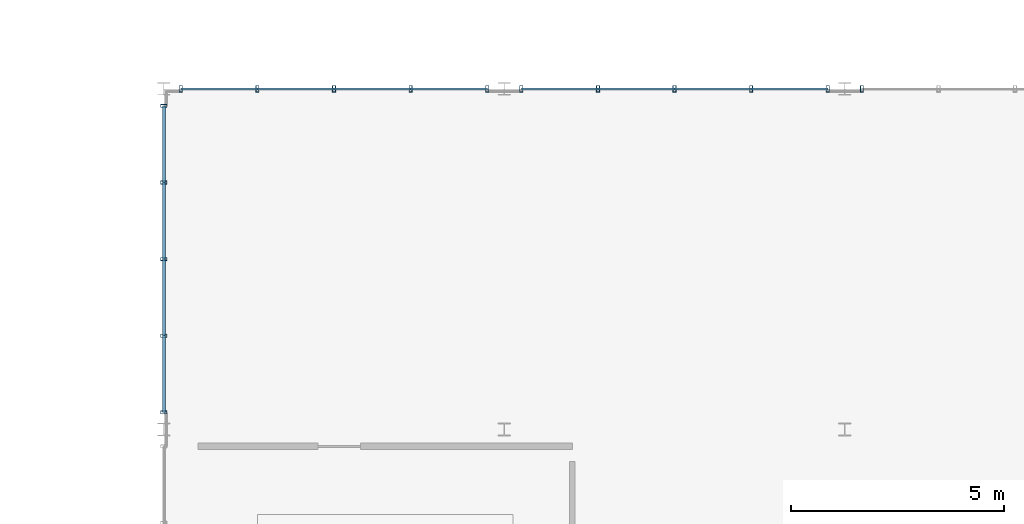
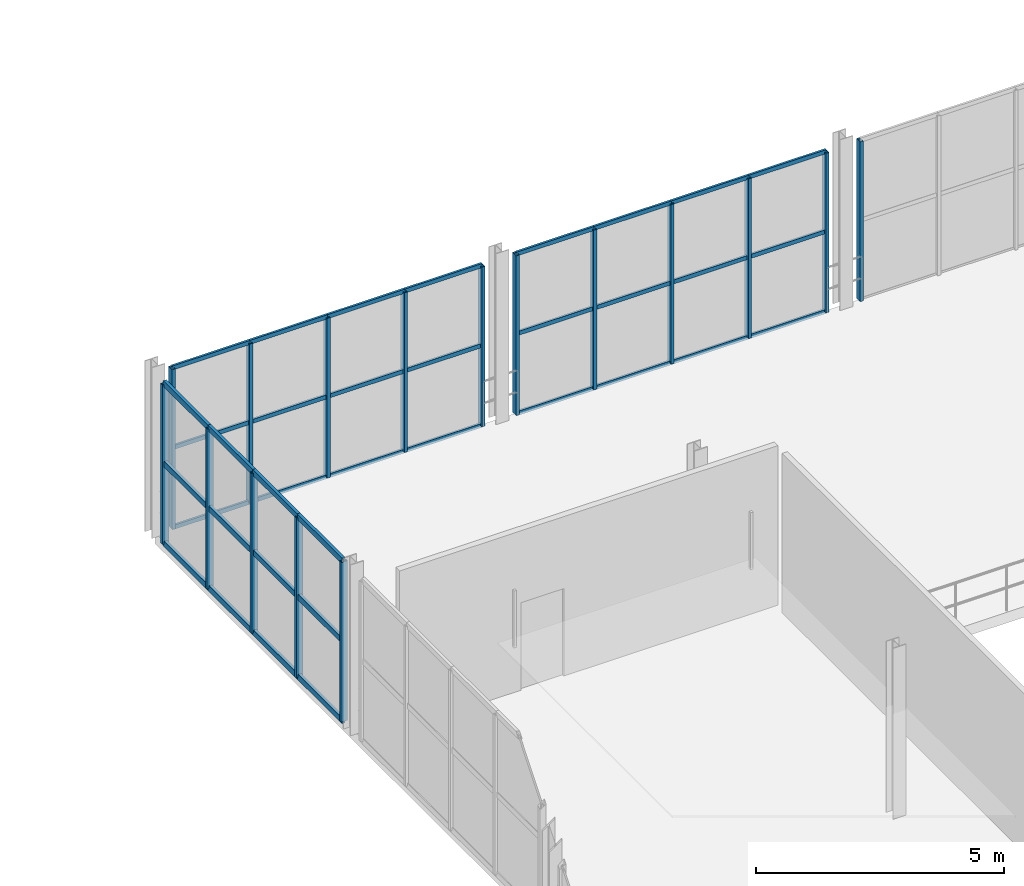
# One storey, part 20 of 67: 52 members, 4 elements without a shape of their own.
"""IFC4 building model written with IfcOpenShell, lengths in metres."""

import ifcopenshell
import ifcopenshell.guid

model = None  # the IFC model being written
_history = None  # IfcOwnerHistory: only IFC2X3 demands one
_inside = {}  # id of a spatial element -> (the spatial element, [elements in it])
_under = {}  # id of a project, library or spatial element -> (it, [spatial elements below it])
_declared = {}  # id of a project -> (the project, [libraries it declares])
_typed = {}  # id of a type object -> (the type object, [elements of that type])
_made_of = {}  # id of a material, layer set ... -> (it, [elements and type objects made of it])


def new_model(schema):
    """Start an empty IFC model of exactly this schema.

    Asked for "IFC4X3", IfcOpenShell would pick the latest addendum, in which some entities
    have other attributes; the version numbers below select the first issue.
    IFC2X3 requires an IfcOwnerHistory on every rooted entity: one is made here for all.
    """
    global model, _history
    if schema == "IFC4X3":
        model = ifcopenshell.file(schema_version=(4, 3, 0, 0))
    else:
        model = ifcopenshell.file(schema=schema)
    _inside.clear()
    _under.clear()
    _declared.clear()
    _typed.clear()
    _made_of.clear()
    _history = None
    if model.schema == "IFC2X3":
        org = make("IfcOrganization", Name="unknown")
        user = make(
            "IfcPersonAndOrganization",
            ThePerson=make("IfcPerson", FamilyName="unknown"),
            TheOrganization=org,
        )
        app = make(
            "IfcApplication",
            ApplicationDeveloper=org,
            Version="unknown",
            ApplicationFullName="unknown",
            ApplicationIdentifier="unknown",
        )
        _history = make(
            "IfcOwnerHistory",
            OwningUser=user,
            OwningApplication=app,
            ChangeAction="ADDED",
            CreationDate=0,
        )
    return model


def make(cls, **values):
    """One entity of the class cls with the attributes given. An attribute that is None is left unset."""
    return model.create_entity(
        cls, **{name: value for name, value in values.items() if value is not None}
    )


def rooted(cls, **values):
    """An entity with a GlobalId (a new one), such as an element, a storey or a relation."""
    return make(cls, GlobalId=ifcopenshell.guid.new(), OwnerHistory=_history, **values)


def si_unit(unit_type, name, prefix=None):
    """IfcSIUnit, for example si_unit("LENGTHUNIT", "METRE", prefix="MILLI")."""
    return make("IfcSIUnit", UnitType=unit_type, Prefix=prefix, Name=name)


def assignment(units):
    """IfcUnitAssignment: the units of a project."""
    return None if units is None else make("IfcUnitAssignment", Units=units)


def point(xyz):
    """IfcCartesianPoint."""
    return None if xyz is None else make("IfcCartesianPoint", Coordinates=xyz)


def direction(xyz):
    """IfcDirection."""
    return None if xyz is None else make("IfcDirection", DirectionRatios=xyz)


def frame(location, z_axis=None, x_axis=None):
    """IfcAxis2Placement3D, a coordinate frame: its origin and axes. An axis left out is left unset."""
    return make(
        "IfcAxis2Placement3D",
        Location=point(location),
        Axis=direction(z_axis),
        RefDirection=direction(x_axis),
    )


def frame_2d(location, x_axis=None):
    """IfcAxis2Placement2D, a coordinate frame in the plane: its origin and x axis."""
    return make(
        "IfcAxis2Placement2D", Location=point(location), RefDirection=direction(x_axis)
    )


def origin():
    """The frame at (0, 0, 0) with its axes left unset."""
    return frame((0.0, 0.0, 0.0))


def origin_2d():
    """The frame at (0, 0) in the plane with its x axis left unset."""
    return frame_2d((0.0, 0.0))


def place(relative_to, where):
    """IfcLocalPlacement: puts the frame where relative to a parent placement (None: the world)."""
    return make(
        "IfcLocalPlacement", PlacementRelTo=relative_to, RelativePlacement=where
    )


def context(
    kind, dimensions, precision=None, world=None, true_north=None, identifier=None
):
    """IfcGeometricRepresentationContext, for example the 3D "Model" context."""
    return make(
        "IfcGeometricRepresentationContext",
        ContextIdentifier=identifier,
        ContextType=kind,
        CoordinateSpaceDimension=dimensions,
        Precision=precision,
        WorldCoordinateSystem=world,
        TrueNorth=true_north,
    )


def subcontext(parent, identifier, kind, view, scale=None):
    """IfcGeometricRepresentationSubContext, for example "Body" below "Model"."""
    return make(
        "IfcGeometricRepresentationSubContext",
        ContextIdentifier=identifier,
        ContextType=kind,
        ParentContext=parent,
        TargetScale=scale,
        TargetView=view,
    )


def project(units=None, contexts=None):
    """IfcProject with its units and contexts."""
    return rooted(
        "IfcProject",
        Name="project",
        RepresentationContexts=contexts,
        UnitsInContext=assignment(units),
    )


def spatial(cls, under=None, at=None, **own):
    """A site, building, storey or space (cls), placed at a placement, below another one or the project."""
    s = rooted(cls, ObjectPlacement=at, **own)
    if under is not None:
        _under.setdefault(under.id(), (under, []))[1].append(s)
    return s


def profile(cls, at=None, kind="AREA", **sizes):
    """A parametric profile (cls). Its sizes go by their IFC names, for example OverallWidth=200.0."""
    return make(cls, ProfileType=kind, Position=at, **sizes)


def hollow_rectangle(**sizes):
    """IfcRectangleHollowProfileDef."""
    return profile("IfcRectangleHollowProfileDef", **sizes)


def extrude(swept, where, along, depth):
    """IfcExtrudedAreaSolid: the profile swept, set in the frame where, extruded along a direction by depth."""
    return make(
        "IfcExtrudedAreaSolid",
        SweptArea=swept,
        Position=where,
        ExtrudedDirection=direction(along),
        Depth=depth,
    )


def shape(context_of_items, identifier, shape_type, items):
    """IfcShapeRepresentation: the items that make up one representation, for example the "Body"."""
    return make(
        "IfcShapeRepresentation",
        ContextOfItems=context_of_items,
        RepresentationIdentifier=identifier,
        RepresentationType=shape_type,
        Items=items,
    )


def material(Name=None, Category=None):
    """IfcMaterial."""
    return make("IfcMaterial", Name=Name, Category=Category)


def material_profile(
    of_material, cross_section, Name=None, Category=None, Priority=None
):
    """IfcMaterialProfile: a cross section and its material."""
    return make(
        "IfcMaterialProfile",
        Name=Name,
        Material=of_material,
        Profile=cross_section,
        Priority=Priority,
        Category=Category,
    )


def profile_set(profiles, Name=None, composite=None):
    """IfcMaterialProfileSet."""
    return make(
        "IfcMaterialProfileSet",
        Name=Name,
        MaterialProfiles=profiles,
        CompositeProfile=composite,
    )


def made_of(thing, what):
    """Note that an element or type object is made of a material, layer set ...; save() writes the relation."""
    if what is not None:
        _made_of.setdefault(what.id(), (what, []))[1].append(thing)
    return thing


def type_object(cls, material=None, **own):
    """A type object (cls), such as IfcWallType, which elements share."""
    return made_of(rooted(cls, **own), material)


def element(
    cls,
    number,
    at=None,
    inside=None,
    cuts=None,
    type_object=None,
    material=None,
    context=None,
    identifier="Body",
    shape_type=None,
    held_by="IfcProductDefinitionShape",
    body=None,
    shapes=None,
    **own,
):
    """One element of the class cls, such as IfcWall. Its Tag is "e" and its number.

    at: its placement. inside: the storey or other place that contains it. cuts: it is an
    opening in that element (IfcRelVoidsElement). A single representation is given by context,
    identifier, shape_type and body (its items); several are given by shapes. held_by: the class
    of the entity that holds the representations. save() writes the other relations.
    """
    e = rooted(cls, Tag="e%d" % number, ObjectPlacement=at, **own)
    if body is not None:
        shapes = [shape(context, identifier, shape_type, body)]
    if shapes is not None:
        e.Representation = make(held_by, Representations=shapes)
    if inside is not None:
        _inside.setdefault(inside.id(), (inside, []))[1].append(e)
    if cuts is not None:
        rooted(
            "IfcRelVoidsElement", RelatingBuildingElement=cuts, RelatedOpeningElement=e
        )
    if type_object is not None:
        _typed.setdefault(type_object.id(), (type_object, []))[1].append(e)
    return made_of(e, material)


def aggregate(whole, parts):
    """IfcRelAggregates: a whole, such as a stair, and the parts it consists of."""
    return rooted("IfcRelAggregates", RelatingObject=whole, RelatedObjects=parts)


def save(model, path):
    """Write the relations noted so far, then the file.

    IfcRelAggregates (storeys below a building ...), IfcRelContainedInSpatialStructure (elements
    in a storey), IfcRelDefinesByType, IfcRelAssociatesMaterial and IfcRelDeclares: one each for
    every whole, place, type object, material and project.
    """
    for whole, parts in _under.values():
        aggregate(whole, parts)
    for where, things in _inside.values():
        rooted(
            "IfcRelContainedInSpatialStructure",
            RelatedElements=things,
            RelatingStructure=where,
        )
    for kind, things in _typed.values():
        rooted("IfcRelDefinesByType", RelatedObjects=things, RelatingType=kind)
    for what, things in _made_of.values():
        rooted("IfcRelAssociatesMaterial", RelatedObjects=things, RelatingMaterial=what)
    for by, libraries in _declared.values():
        rooted("IfcRelDeclares", RelatingContext=by, RelatedDefinitions=libraries)
    model.write(path)


model = new_model("IFC4")

# Units and contexts
model_context = context("Model", 3, precision=1e-05, world=origin(), true_north=direction((0.0, 1.0)))
body_context = subcontext(model_context, "Body", "Model", "MODEL_VIEW")
ifc_project = project(units=[si_unit("LENGTHUNIT", "METRE"), si_unit("AREAUNIT", "SQUARE_METRE"), si_unit("VOLUMEUNIT", "CUBIC_METRE"), si_unit("PLANEANGLEUNIT", "RADIAN"), si_unit("MASSUNIT", "GRAM", prefix="KILO")], contexts=[model_context])

# Site, building, storey
site_placement = place(None, origin())
site = spatial("IfcSite", under=ifc_project, at=site_placement, CompositionType="ELEMENT")
building_placement = place(site_placement, origin())
building = spatial("IfcBuilding", under=site, at=building_placement, Name="Sundkrona Museum", CompositionType="ELEMENT")
storey_placement = place(building_placement, frame((0.0, 0.0, 21.800048828125)))
storey = spatial("IfcBuildingStorey", under=building, at=storey_placement, Name="L04", CompositionType="ELEMENT", Elevation=21.800048828125)

# Curtain wall, members
ifc_material_1 = material(Name="Unitised Aluminium-Steel and Ceramic-Clad Curtain Walling", Category="steel")
curtain_wall_type = type_object("IfcCurtainWallType", Name="CW-AT-72x38", PredefinedType="NOTDEFINED", material=ifc_material_1)
curtain_wall_1_placement = place(storey_placement, origin())
curtain_wall_1 = element("IfcCurtainWall", 1, at=curtain_wall_1_placement, inside=storey, type_object=curtain_wall_type, Name="L04 Curtain Wall CW-L04-086", PredefinedType="NOTDEFINED")
ifc_material_2 = material(Name="Aluminium EN AW-6060 T66", Category="aluminium")
ifc_material_profile_1 = material_profile(ifc_material_2, hollow_rectangle(XDim=0.074951171875, YDim=0.14990234375, WallThickness=0.00634765625, at=origin_2d()), Name="RHS 150x75x6.3")
ifc_profile_set_1 = profile_set([ifc_material_profile_1], Name="Aluminium EN AW-6060 T66")
member_type_1 = type_object("IfcMemberType", Name="ML-150", PredefinedType="MULLION", material=ifc_profile_set_1)
member_1_placement = place(storey_placement, frame((80.0, 32.39990234375, -0.004150390625), z_axis=(0.0, 0.0, 1.0), x_axis=(0.0, 1.0, 0.0)))
member_1 = element("IfcMember", 2, at=member_1_placement, type_object=member_type_1, Name="CW-L04-086 Mullion 01", PredefinedType="MULLION", context=body_context, shape_type="SweptSolid", body=[
    extrude(hollow_rectangle(XDim=0.074951171875, YDim=0.14990234375, WallThickness=0.00634765625, at=origin_2d()), origin(), (0.0, 0.0, 1.0), 3.92822265625),
])
member_2_placement = place(storey_placement, frame((80.0, 34.199951171875, -0.004150390625), z_axis=(0.0, 0.0, 1.0), x_axis=(0.0, 1.0, 0.0)))
member_2 = element("IfcMember", 3, at=member_2_placement, type_object=member_type_1, Name="CW-L04-086 Mullion 02", PredefinedType="MULLION", context=body_context, shape_type="SweptSolid", body=[
    extrude(hollow_rectangle(XDim=0.074951171875, YDim=0.14990234375, WallThickness=0.00634765625, at=origin_2d()), origin(), (0.0, 0.0, 1.0), 3.92822265625),
])
member_3_placement = place(storey_placement, frame((80.0, 36.0, -0.004150390625), z_axis=(0.0, 0.0, 1.0), x_axis=(0.0, 1.0, 0.0)))
member_3 = element("IfcMember", 4, at=member_3_placement, type_object=member_type_1, Name="CW-L04-086 Mullion 03", PredefinedType="MULLION", context=body_context, shape_type="SweptSolid", body=[
    extrude(hollow_rectangle(XDim=0.074951171875, YDim=0.14990234375, WallThickness=0.00634765625, at=origin_2d()), origin(), (0.0, 0.0, 1.0), 3.92822265625),
])
member_4_placement = place(storey_placement, frame((80.0, 37.800048828125, -0.004150390625), z_axis=(0.0, 0.0, 1.0), x_axis=(0.0, 1.0, 0.0)))
member_4 = element("IfcMember", 5, at=member_4_placement, type_object=member_type_1, Name="CW-L04-086 Mullion 04", PredefinedType="MULLION", context=body_context, shape_type="SweptSolid", body=[
    extrude(hollow_rectangle(XDim=0.074951171875, YDim=0.14990234375, WallThickness=0.00634765625, at=origin_2d()), origin(), (0.0, 0.0, 1.0), 3.92822265625),
])
member_5_placement = place(storey_placement, frame((80.0, 39.60009765625, -0.004150390625), z_axis=(0.0, 0.0, 1.0), x_axis=(0.0, 1.0, 0.0)))
member_5 = element("IfcMember", 6, at=member_5_placement, type_object=member_type_1, Name="CW-L04-086 Mullion 05", PredefinedType="MULLION", context=body_context, shape_type="SweptSolid", body=[
    extrude(hollow_rectangle(XDim=0.074951171875, YDim=0.14990234375, WallThickness=0.00634765625, at=origin_2d()), origin(), (0.0, 0.0, 1.0), 3.92822265625),
])

curtain_wall_2_placement = place(storey_placement, origin())
curtain_wall_2 = element("IfcCurtainWall", 7, at=curtain_wall_2_placement, inside=storey, type_object=curtain_wall_type, Name="L04 Curtain Wall CW-L04-087", PredefinedType="NOTDEFINED")
member_6_placement = place(storey_placement, frame((80.39990234375, 40.0, -0.004150390625), z_axis=(0.0, 0.0, 1.0), x_axis=(1.0, 0.0, 0.0)))
member_6 = element("IfcMember", 8, at=member_6_placement, type_object=member_type_1, Name="CW-L04-087 Mullion 01", PredefinedType="MULLION", context=body_context, shape_type="SweptSolid", body=[
    extrude(hollow_rectangle(XDim=0.074951171875, YDim=0.14990234375, WallThickness=0.00634765625, at=origin_2d()), origin(), (0.0, 0.0, 1.0), 3.92822265625),
])
member_7_placement = place(storey_placement, frame((82.199951171875, 40.0, -0.004150390625), z_axis=(0.0, 0.0, 1.0), x_axis=(1.0, 0.0, 0.0)))
member_7 = element("IfcMember", 9, at=member_7_placement, type_object=member_type_1, Name="CW-L04-087 Mullion 02", PredefinedType="MULLION", context=body_context, shape_type="SweptSolid", body=[
    extrude(hollow_rectangle(XDim=0.074951171875, YDim=0.14990234375, WallThickness=0.00634765625, at=origin_2d()), origin(), (0.0, 0.0, 1.0), 3.92822265625),
])
member_8_placement = place(storey_placement, frame((84.0, 40.0, -0.004150390625), z_axis=(0.0, 0.0, 1.0), x_axis=(1.0, 0.0, 0.0)))
member_8 = element("IfcMember", 10, at=member_8_placement, type_object=member_type_1, Name="CW-L04-087 Mullion 03", PredefinedType="MULLION", context=body_context, shape_type="SweptSolid", body=[
    extrude(hollow_rectangle(XDim=0.074951171875, YDim=0.14990234375, WallThickness=0.00634765625, at=origin_2d()), origin(), (0.0, 0.0, 1.0), 3.92822265625),
])
member_9_placement = place(storey_placement, frame((85.800048828125, 40.0, -0.004150390625), z_axis=(0.0, 0.0, 1.0), x_axis=(1.0, 0.0, 0.0)))
member_9 = element("IfcMember", 11, at=member_9_placement, type_object=member_type_1, Name="CW-L04-087 Mullion 04", PredefinedType="MULLION", context=body_context, shape_type="SweptSolid", body=[
    extrude(hollow_rectangle(XDim=0.074951171875, YDim=0.14990234375, WallThickness=0.00634765625, at=origin_2d()), origin(), (0.0, 0.0, 1.0), 3.92822265625),
])
member_10_placement = place(storey_placement, frame((87.60009765625, 40.0, -0.004150390625), z_axis=(0.0, 0.0, 1.0), x_axis=(1.0, 0.0, 0.0)))
member_10 = element("IfcMember", 12, at=member_10_placement, type_object=member_type_1, Name="CW-L04-087 Mullion 05", PredefinedType="MULLION", context=body_context, shape_type="SweptSolid", body=[
    extrude(hollow_rectangle(XDim=0.074951171875, YDim=0.14990234375, WallThickness=0.00634765625, at=origin_2d()), origin(), (0.0, 0.0, 1.0), 3.92822265625),
])

curtain_wall_3_placement = place(storey_placement, origin())
curtain_wall_3 = element("IfcCurtainWall", 13, at=curtain_wall_3_placement, inside=storey, type_object=curtain_wall_type, Name="L04 Curtain Wall CW-L04-088", PredefinedType="NOTDEFINED")
member_11_placement = place(storey_placement, frame((88.39990234375, 40.0, -0.004150390625), z_axis=(0.0, 0.0, 1.0), x_axis=(1.0, 0.0, 0.0)))
member_11 = element("IfcMember", 14, at=member_11_placement, type_object=member_type_1, Name="CW-L04-088 Mullion 01", PredefinedType="MULLION", context=body_context, shape_type="SweptSolid", body=[
    extrude(hollow_rectangle(XDim=0.074951171875, YDim=0.14990234375, WallThickness=0.00634765625, at=origin_2d()), origin(), (0.0, 0.0, 1.0), 3.92822265625),
])
member_12_placement = place(storey_placement, frame((90.199951171875, 40.0, -0.004150390625), z_axis=(0.0, 0.0, 1.0), x_axis=(1.0, 0.0, 0.0)))
member_12 = element("IfcMember", 15, at=member_12_placement, type_object=member_type_1, Name="CW-L04-088 Mullion 02", PredefinedType="MULLION", context=body_context, shape_type="SweptSolid", body=[
    extrude(hollow_rectangle(XDim=0.074951171875, YDim=0.14990234375, WallThickness=0.00634765625, at=origin_2d()), origin(), (0.0, 0.0, 1.0), 3.92822265625),
])
member_13_placement = place(storey_placement, frame((92.0, 40.0, -0.004150390625), z_axis=(0.0, 0.0, 1.0), x_axis=(1.0, 0.0, 0.0)))
member_13 = element("IfcMember", 16, at=member_13_placement, type_object=member_type_1, Name="CW-L04-088 Mullion 03", PredefinedType="MULLION", context=body_context, shape_type="SweptSolid", body=[
    extrude(hollow_rectangle(XDim=0.074951171875, YDim=0.14990234375, WallThickness=0.00634765625, at=origin_2d()), origin(), (0.0, 0.0, 1.0), 3.92822265625),
])
member_14_placement = place(storey_placement, frame((93.800048828125, 40.0, -0.004150390625), z_axis=(0.0, 0.0, 1.0), x_axis=(1.0, 0.0, 0.0)))
member_14 = element("IfcMember", 17, at=member_14_placement, type_object=member_type_1, Name="CW-L04-088 Mullion 04", PredefinedType="MULLION", context=body_context, shape_type="SweptSolid", body=[
    extrude(hollow_rectangle(XDim=0.074951171875, YDim=0.14990234375, WallThickness=0.00634765625, at=origin_2d()), origin(), (0.0, 0.0, 1.0), 3.92822265625),
])
member_15_placement = place(storey_placement, frame((95.60009765625, 40.0, -0.004150390625), z_axis=(0.0, 0.0, 1.0), x_axis=(1.0, 0.0, 0.0)))
member_15 = element("IfcMember", 18, at=member_15_placement, type_object=member_type_1, Name="CW-L04-088 Mullion 05", PredefinedType="MULLION", context=body_context, shape_type="SweptSolid", body=[
    extrude(hollow_rectangle(XDim=0.074951171875, YDim=0.14990234375, WallThickness=0.00634765625, at=origin_2d()), origin(), (0.0, 0.0, 1.0), 3.92822265625),
])

# Curtain wall, member
curtain_wall_4_placement = place(storey_placement, origin())
curtain_wall_4 = element("IfcCurtainWall", 19, at=curtain_wall_4_placement, inside=storey, type_object=curtain_wall_type, Name="L04 Curtain Wall CW-L04-089", PredefinedType="NOTDEFINED")
member_16_placement = place(storey_placement, frame((96.39990234375, 40.0, -0.004150390625), z_axis=(0.0, 0.0, 1.0), x_axis=(1.0, 0.0, 0.0)))
member_16 = element("IfcMember", 20, at=member_16_placement, type_object=member_type_1, Name="CW-L04-089 Mullion 01", PredefinedType="MULLION", context=body_context, shape_type="SweptSolid", body=[
    extrude(hollow_rectangle(XDim=0.074951171875, YDim=0.14990234375, WallThickness=0.00634765625, at=origin_2d()), origin(), (0.0, 0.0, 1.0), 3.92822265625),
])
aggregate(curtain_wall_4, [member_16])

# Member
ifc_material_profile_2 = material_profile(ifc_material_2, hollow_rectangle(XDim=0.050048828125, YDim=0.10009765625, WallThickness=0.0048828125, at=origin_2d()), Name="RHS 100x50x5.0")
ifc_profile_set_2 = profile_set([ifc_material_profile_2], Name="Aluminium EN AW-6060 T66")
member_type_2 = type_object("IfcMemberType", Name="TR-100", PredefinedType="USERDEFINED", material=ifc_profile_set_2)
member_17_placement = place(storey_placement, frame((80.39990234375, 40.0, -0.004150390625), z_axis=(1.0, 0.0, 0.0), x_axis=(0.0, 1.0, 0.0)))
member_17 = element("IfcMember", 21, at=member_17_placement, type_object=member_type_2, Name="CW-L04-087 Transom 01", ObjectType="TRANSOM", PredefinedType="USERDEFINED", context=body_context, shape_type="SweptSolid", body=[
    extrude(hollow_rectangle(XDim=0.050048828125, YDim=0.10009765625, WallThickness=0.0048828125, at=origin_2d()), origin(), (0.0, 0.0, 1.0), 1.800048828125),
])

member_18_placement = place(storey_placement, frame((80.39990234375, 40.0, 1.9599609375), z_axis=(1.0, 0.0, 0.0), x_axis=(0.0, 1.0, 0.0)))
member_18 = element("IfcMember", 22, at=member_18_placement, type_object=member_type_2, Name="CW-L04-087 Transom 02", ObjectType="TRANSOM", PredefinedType="USERDEFINED", context=body_context, shape_type="SweptSolid", body=[
    extrude(hollow_rectangle(XDim=0.050048828125, YDim=0.10009765625, WallThickness=0.0048828125, at=origin_2d()), origin(), (0.0, 0.0, 1.0), 1.800048828125),
])

member_19_placement = place(storey_placement, frame((80.39990234375, 40.0, 3.924072265625), z_axis=(1.0, 0.0, 0.0), x_axis=(0.0, 1.0, 0.0)))
member_19 = element("IfcMember", 23, at=member_19_placement, type_object=member_type_2, Name="CW-L04-087 Transom 03", ObjectType="TRANSOM", PredefinedType="USERDEFINED", context=body_context, shape_type="SweptSolid", body=[
    extrude(hollow_rectangle(XDim=0.050048828125, YDim=0.10009765625, WallThickness=0.0048828125, at=origin_2d()), origin(), (0.0, 0.0, 1.0), 1.800048828125),
])

member_20_placement = place(storey_placement, frame((82.199951171875, 40.0, -0.004150390625), z_axis=(1.0, 0.0, 0.0), x_axis=(0.0, 1.0, 0.0)))
member_20 = element("IfcMember", 24, at=member_20_placement, type_object=member_type_2, Name="CW-L04-087 Transom 04", ObjectType="TRANSOM", PredefinedType="USERDEFINED", context=body_context, shape_type="SweptSolid", body=[
    extrude(hollow_rectangle(XDim=0.050048828125, YDim=0.10009765625, WallThickness=0.0048828125, at=origin_2d()), origin(), (0.0, 0.0, 1.0), 1.800048828125),
])

member_21_placement = place(storey_placement, frame((82.199951171875, 40.0, 1.9599609375), z_axis=(1.0, 0.0, 0.0), x_axis=(0.0, 1.0, 0.0)))
member_21 = element("IfcMember", 25, at=member_21_placement, type_object=member_type_2, Name="CW-L04-087 Transom 05", ObjectType="TRANSOM", PredefinedType="USERDEFINED", context=body_context, shape_type="SweptSolid", body=[
    extrude(hollow_rectangle(XDim=0.050048828125, YDim=0.10009765625, WallThickness=0.0048828125, at=origin_2d()), origin(), (0.0, 0.0, 1.0), 1.800048828125),
])

member_22_placement = place(storey_placement, frame((82.199951171875, 40.0, 3.924072265625), z_axis=(1.0, 0.0, 0.0), x_axis=(0.0, 1.0, 0.0)))
member_22 = element("IfcMember", 26, at=member_22_placement, type_object=member_type_2, Name="CW-L04-087 Transom 06", ObjectType="TRANSOM", PredefinedType="USERDEFINED", context=body_context, shape_type="SweptSolid", body=[
    extrude(hollow_rectangle(XDim=0.050048828125, YDim=0.10009765625, WallThickness=0.0048828125, at=origin_2d()), origin(), (0.0, 0.0, 1.0), 1.800048828125),
])

member_23_placement = place(storey_placement, frame((84.0, 40.0, -0.004150390625), z_axis=(1.0, 0.0, 0.0), x_axis=(0.0, 1.0, 0.0)))
member_23 = element("IfcMember", 27, at=member_23_placement, type_object=member_type_2, Name="CW-L04-087 Transom 07", ObjectType="TRANSOM", PredefinedType="USERDEFINED", context=body_context, shape_type="SweptSolid", body=[
    extrude(hollow_rectangle(XDim=0.050048828125, YDim=0.10009765625, WallThickness=0.0048828125, at=origin_2d()), origin(), (0.0, 0.0, 1.0), 1.800048828125),
])

member_24_placement = place(storey_placement, frame((84.0, 40.0, 1.9599609375), z_axis=(1.0, 0.0, 0.0), x_axis=(0.0, 1.0, 0.0)))
member_24 = element("IfcMember", 28, at=member_24_placement, type_object=member_type_2, Name="CW-L04-087 Transom 08", ObjectType="TRANSOM", PredefinedType="USERDEFINED", context=body_context, shape_type="SweptSolid", body=[
    extrude(hollow_rectangle(XDim=0.050048828125, YDim=0.10009765625, WallThickness=0.0048828125, at=origin_2d()), origin(), (0.0, 0.0, 1.0), 1.800048828125),
])

member_25_placement = place(storey_placement, frame((84.0, 40.0, 3.924072265625), z_axis=(1.0, 0.0, 0.0), x_axis=(0.0, 1.0, 0.0)))
member_25 = element("IfcMember", 29, at=member_25_placement, type_object=member_type_2, Name="CW-L04-087 Transom 09", ObjectType="TRANSOM", PredefinedType="USERDEFINED", context=body_context, shape_type="SweptSolid", body=[
    extrude(hollow_rectangle(XDim=0.050048828125, YDim=0.10009765625, WallThickness=0.0048828125, at=origin_2d()), origin(), (0.0, 0.0, 1.0), 1.800048828125),
])

member_26_placement = place(storey_placement, frame((85.800048828125, 40.0, -0.004150390625), z_axis=(1.0, 0.0, 0.0), x_axis=(0.0, 1.0, 0.0)))
member_26 = element("IfcMember", 30, at=member_26_placement, type_object=member_type_2, Name="CW-L04-087 Transom 10", ObjectType="TRANSOM", PredefinedType="USERDEFINED", context=body_context, shape_type="SweptSolid", body=[
    extrude(hollow_rectangle(XDim=0.050048828125, YDim=0.10009765625, WallThickness=0.0048828125, at=origin_2d()), origin(), (0.0, 0.0, 1.0), 1.800048828125),
])

member_27_placement = place(storey_placement, frame((85.800048828125, 40.0, 1.9599609375), z_axis=(1.0, 0.0, 0.0), x_axis=(0.0, 1.0, 0.0)))
member_27 = element("IfcMember", 31, at=member_27_placement, type_object=member_type_2, Name="CW-L04-087 Transom 11", ObjectType="TRANSOM", PredefinedType="USERDEFINED", context=body_context, shape_type="SweptSolid", body=[
    extrude(hollow_rectangle(XDim=0.050048828125, YDim=0.10009765625, WallThickness=0.0048828125, at=origin_2d()), origin(), (0.0, 0.0, 1.0), 1.800048828125),
])

member_28_placement = place(storey_placement, frame((85.800048828125, 40.0, 3.924072265625), z_axis=(1.0, 0.0, 0.0), x_axis=(0.0, 1.0, 0.0)))
member_28 = element("IfcMember", 32, at=member_28_placement, type_object=member_type_2, Name="CW-L04-087 Transom 12", ObjectType="TRANSOM", PredefinedType="USERDEFINED", context=body_context, shape_type="SweptSolid", body=[
    extrude(hollow_rectangle(XDim=0.050048828125, YDim=0.10009765625, WallThickness=0.0048828125, at=origin_2d()), origin(), (0.0, 0.0, 1.0), 1.800048828125),
])

aggregate(curtain_wall_2, [member_6, member_7, member_8, member_9, member_10, member_17, member_18, member_19, member_20, member_21, member_22, member_23, member_24, member_25, member_26, member_27, member_28])

member_29_placement = place(storey_placement, frame((88.39990234375, 40.0, -0.004150390625), z_axis=(1.0, 0.0, 0.0), x_axis=(0.0, 1.0, 0.0)))
member_29 = element("IfcMember", 33, at=member_29_placement, type_object=member_type_2, Name="CW-L04-088 Transom 01", ObjectType="TRANSOM", PredefinedType="USERDEFINED", context=body_context, shape_type="SweptSolid", body=[
    extrude(hollow_rectangle(XDim=0.050048828125, YDim=0.10009765625, WallThickness=0.0048828125, at=origin_2d()), origin(), (0.0, 0.0, 1.0), 1.800048828125),
])

member_30_placement = place(storey_placement, frame((88.39990234375, 40.0, 1.9599609375), z_axis=(1.0, 0.0, 0.0), x_axis=(0.0, 1.0, 0.0)))
member_30 = element("IfcMember", 34, at=member_30_placement, type_object=member_type_2, Name="CW-L04-088 Transom 02", ObjectType="TRANSOM", PredefinedType="USERDEFINED", context=body_context, shape_type="SweptSolid", body=[
    extrude(hollow_rectangle(XDim=0.050048828125, YDim=0.10009765625, WallThickness=0.0048828125, at=origin_2d()), origin(), (0.0, 0.0, 1.0), 1.800048828125),
])

member_31_placement = place(storey_placement, frame((88.39990234375, 40.0, 3.924072265625), z_axis=(1.0, 0.0, 0.0), x_axis=(0.0, 1.0, 0.0)))
member_31 = element("IfcMember", 35, at=member_31_placement, type_object=member_type_2, Name="CW-L04-088 Transom 03", ObjectType="TRANSOM", PredefinedType="USERDEFINED", context=body_context, shape_type="SweptSolid", body=[
    extrude(hollow_rectangle(XDim=0.050048828125, YDim=0.10009765625, WallThickness=0.0048828125, at=origin_2d()), origin(), (0.0, 0.0, 1.0), 1.800048828125),
])

member_32_placement = place(storey_placement, frame((90.199951171875, 40.0, -0.004150390625), z_axis=(1.0, 0.0, 0.0), x_axis=(0.0, 1.0, 0.0)))
member_32 = element("IfcMember", 36, at=member_32_placement, type_object=member_type_2, Name="CW-L04-088 Transom 04", ObjectType="TRANSOM", PredefinedType="USERDEFINED", context=body_context, shape_type="SweptSolid", body=[
    extrude(hollow_rectangle(XDim=0.050048828125, YDim=0.10009765625, WallThickness=0.0048828125, at=origin_2d()), origin(), (0.0, 0.0, 1.0), 1.800048828125),
])

member_33_placement = place(storey_placement, frame((90.199951171875, 40.0, 1.9599609375), z_axis=(1.0, 0.0, 0.0), x_axis=(0.0, 1.0, 0.0)))
member_33 = element("IfcMember", 37, at=member_33_placement, type_object=member_type_2, Name="CW-L04-088 Transom 05", ObjectType="TRANSOM", PredefinedType="USERDEFINED", context=body_context, shape_type="SweptSolid", body=[
    extrude(hollow_rectangle(XDim=0.050048828125, YDim=0.10009765625, WallThickness=0.0048828125, at=origin_2d()), origin(), (0.0, 0.0, 1.0), 1.800048828125),
])

member_34_placement = place(storey_placement, frame((90.199951171875, 40.0, 3.924072265625), z_axis=(1.0, 0.0, 0.0), x_axis=(0.0, 1.0, 0.0)))
member_34 = element("IfcMember", 38, at=member_34_placement, type_object=member_type_2, Name="CW-L04-088 Transom 06", ObjectType="TRANSOM", PredefinedType="USERDEFINED", context=body_context, shape_type="SweptSolid", body=[
    extrude(hollow_rectangle(XDim=0.050048828125, YDim=0.10009765625, WallThickness=0.0048828125, at=origin_2d()), origin(), (0.0, 0.0, 1.0), 1.800048828125),
])

member_35_placement = place(storey_placement, frame((92.0, 40.0, -0.004150390625), z_axis=(1.0, 0.0, 0.0), x_axis=(0.0, 1.0, 0.0)))
member_35 = element("IfcMember", 39, at=member_35_placement, type_object=member_type_2, Name="CW-L04-088 Transom 07", ObjectType="TRANSOM", PredefinedType="USERDEFINED", context=body_context, shape_type="SweptSolid", body=[
    extrude(hollow_rectangle(XDim=0.050048828125, YDim=0.10009765625, WallThickness=0.0048828125, at=origin_2d()), origin(), (0.0, 0.0, 1.0), 1.800048828125),
])

member_36_placement = place(storey_placement, frame((92.0, 40.0, 1.9599609375), z_axis=(1.0, 0.0, 0.0), x_axis=(0.0, 1.0, 0.0)))
member_36 = element("IfcMember", 40, at=member_36_placement, type_object=member_type_2, Name="CW-L04-088 Transom 08", ObjectType="TRANSOM", PredefinedType="USERDEFINED", context=body_context, shape_type="SweptSolid", body=[
    extrude(hollow_rectangle(XDim=0.050048828125, YDim=0.10009765625, WallThickness=0.0048828125, at=origin_2d()), origin(), (0.0, 0.0, 1.0), 1.800048828125),
])

member_37_placement = place(storey_placement, frame((92.0, 40.0, 3.924072265625), z_axis=(1.0, 0.0, 0.0), x_axis=(0.0, 1.0, 0.0)))
member_37 = element("IfcMember", 41, at=member_37_placement, type_object=member_type_2, Name="CW-L04-088 Transom 09", ObjectType="TRANSOM", PredefinedType="USERDEFINED", context=body_context, shape_type="SweptSolid", body=[
    extrude(hollow_rectangle(XDim=0.050048828125, YDim=0.10009765625, WallThickness=0.0048828125, at=origin_2d()), origin(), (0.0, 0.0, 1.0), 1.800048828125),
])

member_38_placement = place(storey_placement, frame((93.800048828125, 40.0, -0.004150390625), z_axis=(1.0, 0.0, 0.0), x_axis=(0.0, 1.0, 0.0)))
member_38 = element("IfcMember", 42, at=member_38_placement, type_object=member_type_2, Name="CW-L04-088 Transom 10", ObjectType="TRANSOM", PredefinedType="USERDEFINED", context=body_context, shape_type="SweptSolid", body=[
    extrude(hollow_rectangle(XDim=0.050048828125, YDim=0.10009765625, WallThickness=0.0048828125, at=origin_2d()), origin(), (0.0, 0.0, 1.0), 1.800048828125),
])

member_39_placement = place(storey_placement, frame((93.800048828125, 40.0, 1.9599609375), z_axis=(1.0, 0.0, 0.0), x_axis=(0.0, 1.0, 0.0)))
member_39 = element("IfcMember", 43, at=member_39_placement, type_object=member_type_2, Name="CW-L04-088 Transom 11", ObjectType="TRANSOM", PredefinedType="USERDEFINED", context=body_context, shape_type="SweptSolid", body=[
    extrude(hollow_rectangle(XDim=0.050048828125, YDim=0.10009765625, WallThickness=0.0048828125, at=origin_2d()), origin(), (0.0, 0.0, 1.0), 1.800048828125),
])

member_40_placement = place(storey_placement, frame((93.800048828125, 40.0, 3.924072265625), z_axis=(1.0, 0.0, 0.0), x_axis=(0.0, 1.0, 0.0)))
member_40 = element("IfcMember", 44, at=member_40_placement, type_object=member_type_2, Name="CW-L04-088 Transom 12", ObjectType="TRANSOM", PredefinedType="USERDEFINED", context=body_context, shape_type="SweptSolid", body=[
    extrude(hollow_rectangle(XDim=0.050048828125, YDim=0.10009765625, WallThickness=0.0048828125, at=origin_2d()), origin(), (0.0, 0.0, 1.0), 1.800048828125),
])

aggregate(curtain_wall_3, [member_11, member_12, member_13, member_14, member_15, member_29, member_30, member_31, member_32, member_33, member_34, member_35, member_36, member_37, member_38, member_39, member_40])

ifc_material_profile_3 = material_profile(ifc_material_2, hollow_rectangle(XDim=0.070068359375, YDim=0.139892578125, WallThickness=0.0048828125, at=origin_2d()), Name="RHS 140x70x5.0")
ifc_profile_set_3 = profile_set([ifc_material_profile_3], Name="Aluminium EN AW-6060 T66")
member_type_3 = type_object("IfcMemberType", Name="TR-140", PredefinedType="USERDEFINED", material=ifc_profile_set_3)
member_41_placement = place(storey_placement, frame((80.0, 32.39990234375, -0.004150390625), z_axis=(0.0, 1.0, 0.0), x_axis=(-1.0, 0.0, 0.0)))
member_41 = element("IfcMember", 45, at=member_41_placement, type_object=member_type_3, Name="CW-L04-086 Transom 01", ObjectType="TRANSOM", PredefinedType="USERDEFINED", context=body_context, shape_type="SweptSolid", body=[
    extrude(hollow_rectangle(XDim=0.070068359375, YDim=0.139892578125, WallThickness=0.0048828125, at=origin_2d()), origin(), (0.0, 0.0, 1.0), 1.800048828125),
])

member_42_placement = place(storey_placement, frame((80.0, 32.39990234375, 1.9599609375), z_axis=(0.0, 1.0, 0.0), x_axis=(-1.0, 0.0, 0.0)))
member_42 = element("IfcMember", 46, at=member_42_placement, type_object=member_type_3, Name="CW-L04-086 Transom 02", ObjectType="TRANSOM", PredefinedType="USERDEFINED", context=body_context, shape_type="SweptSolid", body=[
    extrude(hollow_rectangle(XDim=0.070068359375, YDim=0.139892578125, WallThickness=0.0048828125, at=origin_2d()), origin(), (0.0, 0.0, 1.0), 1.800048828125),
])

member_43_placement = place(storey_placement, frame((80.0, 32.39990234375, 3.924072265625), z_axis=(0.0, 1.0, 0.0), x_axis=(-1.0, 0.0, 0.0)))
member_43 = element("IfcMember", 47, at=member_43_placement, type_object=member_type_3, Name="CW-L04-086 Transom 03", ObjectType="TRANSOM", PredefinedType="USERDEFINED", context=body_context, shape_type="SweptSolid", body=[
    extrude(hollow_rectangle(XDim=0.070068359375, YDim=0.139892578125, WallThickness=0.0048828125, at=origin_2d()), origin(), (0.0, 0.0, 1.0), 1.800048828125),
])

member_44_placement = place(storey_placement, frame((80.0, 34.199951171875, -0.004150390625), z_axis=(0.0, 1.0, 0.0), x_axis=(-1.0, 0.0, 0.0)))
member_44 = element("IfcMember", 48, at=member_44_placement, type_object=member_type_3, Name="CW-L04-086 Transom 04", ObjectType="TRANSOM", PredefinedType="USERDEFINED", context=body_context, shape_type="SweptSolid", body=[
    extrude(hollow_rectangle(XDim=0.070068359375, YDim=0.139892578125, WallThickness=0.0048828125, at=origin_2d()), origin(), (0.0, 0.0, 1.0), 1.800048828125),
])

member_45_placement = place(storey_placement, frame((80.0, 34.199951171875, 1.9599609375), z_axis=(0.0, 1.0, 0.0), x_axis=(-1.0, 0.0, 0.0)))
member_45 = element("IfcMember", 49, at=member_45_placement, type_object=member_type_3, Name="CW-L04-086 Transom 05", ObjectType="TRANSOM", PredefinedType="USERDEFINED", context=body_context, shape_type="SweptSolid", body=[
    extrude(hollow_rectangle(XDim=0.070068359375, YDim=0.139892578125, WallThickness=0.0048828125, at=origin_2d()), origin(), (0.0, 0.0, 1.0), 1.800048828125),
])

member_46_placement = place(storey_placement, frame((80.0, 34.199951171875, 3.924072265625), z_axis=(0.0, 1.0, 0.0), x_axis=(-1.0, 0.0, 0.0)))
member_46 = element("IfcMember", 50, at=member_46_placement, type_object=member_type_3, Name="CW-L04-086 Transom 06", ObjectType="TRANSOM", PredefinedType="USERDEFINED", context=body_context, shape_type="SweptSolid", body=[
    extrude(hollow_rectangle(XDim=0.070068359375, YDim=0.139892578125, WallThickness=0.0048828125, at=origin_2d()), origin(), (0.0, 0.0, 1.0), 1.800048828125),
])

member_47_placement = place(storey_placement, frame((80.0, 36.0, -0.004150390625), z_axis=(0.0, 1.0, 0.0), x_axis=(-1.0, 0.0, 0.0)))
member_47 = element("IfcMember", 51, at=member_47_placement, type_object=member_type_3, Name="CW-L04-086 Transom 07", ObjectType="TRANSOM", PredefinedType="USERDEFINED", context=body_context, shape_type="SweptSolid", body=[
    extrude(hollow_rectangle(XDim=0.070068359375, YDim=0.139892578125, WallThickness=0.0048828125, at=origin_2d()), origin(), (0.0, 0.0, 1.0), 1.800048828125),
])

member_48_placement = place(storey_placement, frame((80.0, 36.0, 1.9599609375), z_axis=(0.0, 1.0, 0.0), x_axis=(-1.0, 0.0, 0.0)))
member_48 = element("IfcMember", 52, at=member_48_placement, type_object=member_type_3, Name="CW-L04-086 Transom 08", ObjectType="TRANSOM", PredefinedType="USERDEFINED", context=body_context, shape_type="SweptSolid", body=[
    extrude(hollow_rectangle(XDim=0.070068359375, YDim=0.139892578125, WallThickness=0.0048828125, at=origin_2d()), origin(), (0.0, 0.0, 1.0), 1.800048828125),
])

member_49_placement = place(storey_placement, frame((80.0, 36.0, 3.924072265625), z_axis=(0.0, 1.0, 0.0), x_axis=(-1.0, 0.0, 0.0)))
member_49 = element("IfcMember", 53, at=member_49_placement, type_object=member_type_3, Name="CW-L04-086 Transom 09", ObjectType="TRANSOM", PredefinedType="USERDEFINED", context=body_context, shape_type="SweptSolid", body=[
    extrude(hollow_rectangle(XDim=0.070068359375, YDim=0.139892578125, WallThickness=0.0048828125, at=origin_2d()), origin(), (0.0, 0.0, 1.0), 1.800048828125),
])

member_50_placement = place(storey_placement, frame((80.0, 37.800048828125, -0.004150390625), z_axis=(0.0, 1.0, 0.0), x_axis=(-1.0, 0.0, 0.0)))
member_50 = element("IfcMember", 54, at=member_50_placement, type_object=member_type_3, Name="CW-L04-086 Transom 10", ObjectType="TRANSOM", PredefinedType="USERDEFINED", context=body_context, shape_type="SweptSolid", body=[
    extrude(hollow_rectangle(XDim=0.070068359375, YDim=0.139892578125, WallThickness=0.0048828125, at=origin_2d()), origin(), (0.0, 0.0, 1.0), 1.800048828125),
])

member_51_placement = place(storey_placement, frame((80.0, 37.800048828125, 1.9599609375), z_axis=(0.0, 1.0, 0.0), x_axis=(-1.0, 0.0, 0.0)))
member_51 = element("IfcMember", 55, at=member_51_placement, type_object=member_type_3, Name="CW-L04-086 Transom 11", ObjectType="TRANSOM", PredefinedType="USERDEFINED", context=body_context, shape_type="SweptSolid", body=[
    extrude(hollow_rectangle(XDim=0.070068359375, YDim=0.139892578125, WallThickness=0.0048828125, at=origin_2d()), origin(), (0.0, 0.0, 1.0), 1.800048828125),
])

member_52_placement = place(storey_placement, frame((80.0, 37.800048828125, 3.924072265625), z_axis=(0.0, 1.0, 0.0), x_axis=(-1.0, 0.0, 0.0)))
member_52 = element("IfcMember", 56, at=member_52_placement, type_object=member_type_3, Name="CW-L04-086 Transom 12", ObjectType="TRANSOM", PredefinedType="USERDEFINED", context=body_context, shape_type="SweptSolid", body=[
    extrude(hollow_rectangle(XDim=0.070068359375, YDim=0.139892578125, WallThickness=0.0048828125, at=origin_2d()), origin(), (0.0, 0.0, 1.0), 1.800048828125),
])

aggregate(curtain_wall_1, [member_1, member_2, member_3, member_4, member_5, member_41, member_42, member_43, member_44, member_45, member_46, member_47, member_48, member_49, member_50, member_51, member_52])

save(model, "model.ifc")
